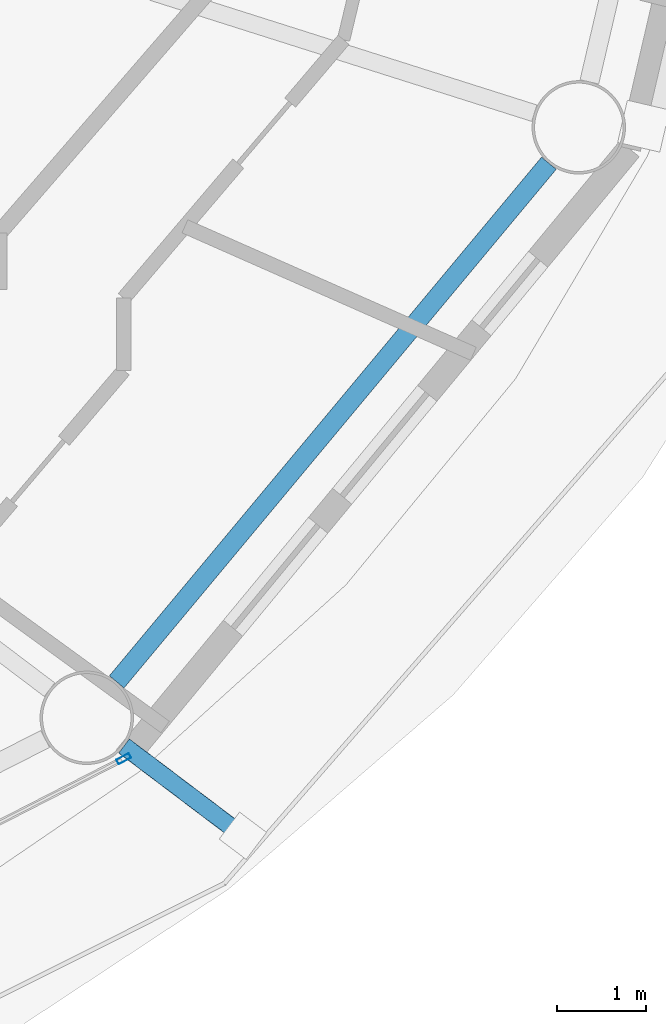
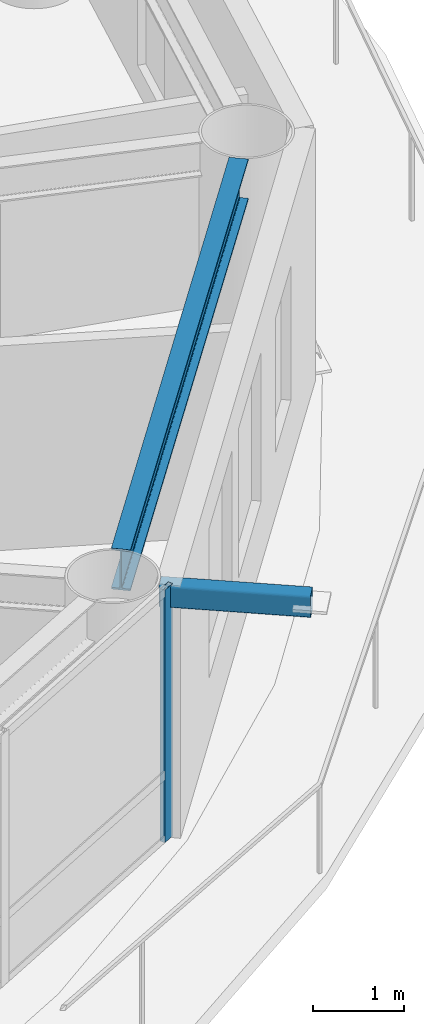
# One storey, part 7 of 29: 2 members, 1 beam, 1 element without a shape of its own.
"""IFC4 building model written with IfcOpenShell, lengths in metres."""

from ifc_helpers import new_model, si_unit, direction, frame, origin, origin_2d, place, context, subcontext, project, spatial, hollow_rectangle, i_section, extrude, material, layer, layer_set, material_profile, profile_set, type_object, element, aggregate, save


model = new_model("IFC4")

# Units and contexts
model_context = context("Model", 3, precision=1e-05, world=origin(), true_north=direction((0.0, 1.0)))
body_context = subcontext(model_context, "Body", "Model", "MODEL_VIEW")
ifc_project = project(units=[si_unit("LENGTHUNIT", "METRE"), si_unit("AREAUNIT", "SQUARE_METRE"), si_unit("VOLUMEUNIT", "CUBIC_METRE"), si_unit("PLANEANGLEUNIT", "RADIAN"), si_unit("MASSUNIT", "GRAM", prefix="KILO")], contexts=[model_context])

# Site, building, storey
site_placement = place(None, origin())
site = spatial("IfcSite", under=ifc_project, at=site_placement, CompositionType="ELEMENT")
building_placement = place(site_placement, origin())
building = spatial("IfcBuilding", under=site, at=building_placement, Name="Sarneth Arch Tower", CompositionType="ELEMENT")
storey_placement = place(building_placement, frame((0.0, 0.0, 175.800048828125)))
storey = spatial("IfcBuildingStorey", under=building, at=storey_placement, Name="L44", CompositionType="ELEMENT", Elevation=175.800048828125)

# Beam
ifc_material_1 = material(Name="Steel S355", Category="steel")
ifc_material_profile_1 = material_profile(ifc_material_1, i_section(OverallWidth=0.214111328125, OverallDepth=0.549072265625, WebThickness=0.0146484375, FlangeThickness=0.023681640625, FilletRadius=0.01806640625, at=origin_2d()), Name="W530x138")
ifc_profile_set_1 = profile_set([ifc_material_profile_1], Name="Steel S355")
beam_type = type_object("IfcBeamType", Name="BM-RAD-530A", PredefinedType="BEAM", material=ifc_profile_set_1)
beam_placement = place(storey_placement, frame((67.469970703125, 27.943115234375, 3.10546875), z_axis=(0.640171737024, 0.768231831621, 0.0), x_axis=(-0.768231831621, 0.640171737024, 0.0)))
element("IfcBeam", 1, at=beam_placement, inside=storey, type_object=beam_type, Name="L44 Perimeter spandrel beam 15", PredefinedType="BEAM", context=body_context, shape_type="SweptSolid", body=[
    extrude(i_section(OverallWidth=0.214111328125, OverallDepth=0.549072265625, WebThickness=0.0146484375, FlangeThickness=0.023681640625, FilletRadius=0.01806640625, at=origin_2d()), origin(), (0.0, 0.0, 1.0), 7.585693359375),
])

# Curtain wall, member
ifc_material_2 = material(Name="Anodised aluminium Type AA25 and solar-control low-e laminated IGU", Category="aluminium")
ifc_layer = layer(ifc_material_2, 0.169921875)
ifc_layer_set = layer_set([ifc_layer], Name="Anodised aluminium Type AA25 and solar-control low-e laminated IGU")
curtain_wall_type = type_object("IfcCurtainWallType", Name="CW-RES-MID", PredefinedType="NOTDEFINED", material=ifc_layer_set)
curtain_wall_placement = place(storey_placement, origin())
curtain_wall = element("IfcCurtainWall", 2, at=curtain_wall_placement, inside=storey, type_object=curtain_wall_type, Name="L44 Unitised curtain wall facet 14", PredefinedType="NOTDEFINED")
ifc_material_3 = material(Name="Anodised Aluminium 6063-T6", Category="aluminium")
ifc_material_profile_2 = material_profile(ifc_material_3, hollow_rectangle(XDim=0.06005859375, YDim=0.159912109375, WallThickness=0.00390625, at=origin_2d()), Name="AL-MULL-160x60x4")
ifc_profile_set_2 = profile_set([ifc_material_profile_2], Name="Anodised Aluminium 6063-T6")
member_type_1 = type_object("IfcMemberType", Name="CW-MULLION", PredefinedType="MULLION", material=ifc_profile_set_2)
member_1_placement = place(storey_placement, frame((67.549560546875, 27.08056640625, 0.0), z_axis=(0.0, 0.0, 1.0), x_axis=(-0.456208470329, 0.88987293003, 0.0)))
member_1 = element("IfcMember", 3, at=member_1_placement, type_object=member_type_1, Name="CW-SYS-5 mullion 4", PredefinedType="MULLION", context=body_context, shape_type="SweptSolid", body=[
    extrude(hollow_rectangle(XDim=0.06005859375, YDim=0.159912109375, WallThickness=0.00390625, at=origin_2d()), origin(), (0.0, 0.0, 1.0), 3.3798828125),
])
aggregate(curtain_wall, [member_1])

# Member
ifc_material_4 = material(Name="Steel S355", Category="steel")
ifc_material_profile_3 = material_profile(ifc_material_4, hollow_rectangle(XDim=0.199951171875, YDim=0.300048828125, WallThickness=0.012451171875, InnerFilletRadius=0.018798828125, OuterFilletRadius=0.03125, at=origin_2d()), Name="RHS300x200x12.5")
ifc_profile_set_3 = profile_set([ifc_material_profile_3], Name="Steel S355")
member_type_2 = type_object("IfcMemberType", Name="MEM-CANT-STRUT", PredefinedType="STRUT", material=ifc_profile_set_3)
member_2_placement = place(storey_placement, frame((67.552734375, 27.22314453125, 3.219970703125), z_axis=(0.797770611559, -0.602961069501, 0.0), x_axis=(0.602961069501, 0.797770611559, 0.0)))
element("IfcMember", 4, at=member_2_placement, inside=storey, type_object=member_type_2, Name="L44 Balcony cantilever bracket 15", PredefinedType="STRUT", context=body_context, shape_type="SweptSolid", body=[
    extrude(hollow_rectangle(XDim=0.199951171875, YDim=0.300048828125, WallThickness=0.012451171875, InnerFilletRadius=0.018798828125, OuterFilletRadius=0.03125, at=origin_2d()), origin(), (0.0, 0.0, 1.0), 1.673095703125),
])

save(model, "model.ifc")
